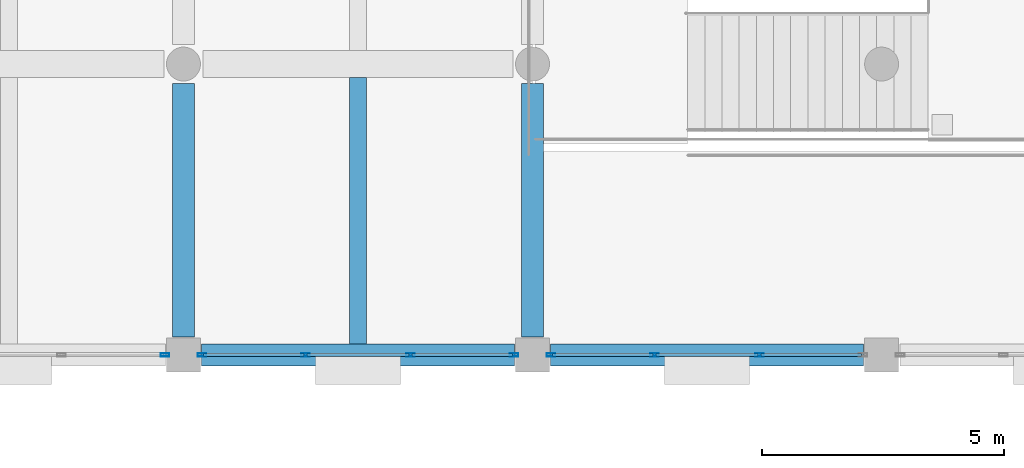
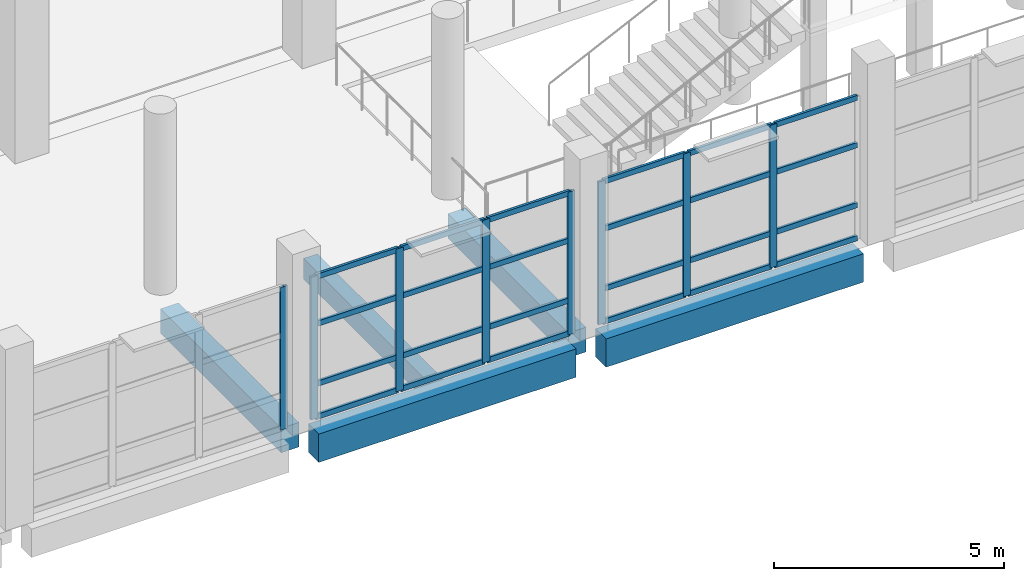
# One storey, part 33 of 91: 32 members, 5 beams, 3 elements without a shape of their own.
"""IFC4 building model written with IfcOpenShell, lengths in metres."""

import ifcopenshell
import ifcopenshell.guid

model = None  # the IFC model being written
_history = None  # IfcOwnerHistory: only IFC2X3 demands one
_inside = {}  # id of a spatial element -> (the spatial element, [elements in it])
_under = {}  # id of a project, library or spatial element -> (it, [spatial elements below it])
_declared = {}  # id of a project -> (the project, [libraries it declares])
_typed = {}  # id of a type object -> (the type object, [elements of that type])
_made_of = {}  # id of a material, layer set ... -> (it, [elements and type objects made of it])


def new_model(schema):
    """Start an empty IFC model of exactly this schema.

    Asked for "IFC4X3", IfcOpenShell would pick the latest addendum, in which some entities
    have other attributes; the version numbers below select the first issue.
    IFC2X3 requires an IfcOwnerHistory on every rooted entity: one is made here for all.
    """
    global model, _history
    if schema == "IFC4X3":
        model = ifcopenshell.file(schema_version=(4, 3, 0, 0))
    else:
        model = ifcopenshell.file(schema=schema)
    _inside.clear()
    _under.clear()
    _declared.clear()
    _typed.clear()
    _made_of.clear()
    _history = None
    if model.schema == "IFC2X3":
        org = make("IfcOrganization", Name="unknown")
        user = make(
            "IfcPersonAndOrganization",
            ThePerson=make("IfcPerson", FamilyName="unknown"),
            TheOrganization=org,
        )
        app = make(
            "IfcApplication",
            ApplicationDeveloper=org,
            Version="unknown",
            ApplicationFullName="unknown",
            ApplicationIdentifier="unknown",
        )
        _history = make(
            "IfcOwnerHistory",
            OwningUser=user,
            OwningApplication=app,
            ChangeAction="ADDED",
            CreationDate=0,
        )
    return model


def make(cls, **values):
    """One entity of the class cls with the attributes given. An attribute that is None is left unset."""
    return model.create_entity(
        cls, **{name: value for name, value in values.items() if value is not None}
    )


def rooted(cls, **values):
    """An entity with a GlobalId (a new one), such as an element, a storey or a relation."""
    return make(cls, GlobalId=ifcopenshell.guid.new(), OwnerHistory=_history, **values)


def si_unit(unit_type, name, prefix=None):
    """IfcSIUnit, for example si_unit("LENGTHUNIT", "METRE", prefix="MILLI")."""
    return make("IfcSIUnit", UnitType=unit_type, Prefix=prefix, Name=name)


def assignment(units):
    """IfcUnitAssignment: the units of a project."""
    return None if units is None else make("IfcUnitAssignment", Units=units)


def point(xyz):
    """IfcCartesianPoint."""
    return None if xyz is None else make("IfcCartesianPoint", Coordinates=xyz)


def direction(xyz):
    """IfcDirection."""
    return None if xyz is None else make("IfcDirection", DirectionRatios=xyz)


def frame(location, z_axis=None, x_axis=None):
    """IfcAxis2Placement3D, a coordinate frame: its origin and axes. An axis left out is left unset."""
    return make(
        "IfcAxis2Placement3D",
        Location=point(location),
        Axis=direction(z_axis),
        RefDirection=direction(x_axis),
    )


def frame_2d(location, x_axis=None):
    """IfcAxis2Placement2D, a coordinate frame in the plane: its origin and x axis."""
    return make(
        "IfcAxis2Placement2D", Location=point(location), RefDirection=direction(x_axis)
    )


def origin():
    """The frame at (0, 0, 0) with its axes left unset."""
    return frame((0.0, 0.0, 0.0))


def origin_2d():
    """The frame at (0, 0) in the plane with its x axis left unset."""
    return frame_2d((0.0, 0.0))


def place(relative_to, where):
    """IfcLocalPlacement: puts the frame where relative to a parent placement (None: the world)."""
    return make(
        "IfcLocalPlacement", PlacementRelTo=relative_to, RelativePlacement=where
    )


def context(
    kind, dimensions, precision=None, world=None, true_north=None, identifier=None
):
    """IfcGeometricRepresentationContext, for example the 3D "Model" context."""
    return make(
        "IfcGeometricRepresentationContext",
        ContextIdentifier=identifier,
        ContextType=kind,
        CoordinateSpaceDimension=dimensions,
        Precision=precision,
        WorldCoordinateSystem=world,
        TrueNorth=true_north,
    )


def subcontext(parent, identifier, kind, view, scale=None):
    """IfcGeometricRepresentationSubContext, for example "Body" below "Model"."""
    return make(
        "IfcGeometricRepresentationSubContext",
        ContextIdentifier=identifier,
        ContextType=kind,
        ParentContext=parent,
        TargetScale=scale,
        TargetView=view,
    )


def project(units=None, contexts=None):
    """IfcProject with its units and contexts."""
    return rooted(
        "IfcProject",
        Name="project",
        RepresentationContexts=contexts,
        UnitsInContext=assignment(units),
    )


def spatial(cls, under=None, at=None, **own):
    """A site, building, storey or space (cls), placed at a placement, below another one or the project."""
    s = rooted(cls, ObjectPlacement=at, **own)
    if under is not None:
        _under.setdefault(under.id(), (under, []))[1].append(s)
    return s


def profile(cls, at=None, kind="AREA", **sizes):
    """A parametric profile (cls). Its sizes go by their IFC names, for example OverallWidth=200.0."""
    return make(cls, ProfileType=kind, Position=at, **sizes)


def rectangle(**sizes):
    """IfcRectangleProfileDef."""
    return profile("IfcRectangleProfileDef", **sizes)


def hollow_rectangle(**sizes):
    """IfcRectangleHollowProfileDef."""
    return profile("IfcRectangleHollowProfileDef", **sizes)


def extrude(swept, where, along, depth):
    """IfcExtrudedAreaSolid: the profile swept, set in the frame where, extruded along a direction by depth."""
    return make(
        "IfcExtrudedAreaSolid",
        SweptArea=swept,
        Position=where,
        ExtrudedDirection=direction(along),
        Depth=depth,
    )


def shape(context_of_items, identifier, shape_type, items):
    """IfcShapeRepresentation: the items that make up one representation, for example the "Body"."""
    return make(
        "IfcShapeRepresentation",
        ContextOfItems=context_of_items,
        RepresentationIdentifier=identifier,
        RepresentationType=shape_type,
        Items=items,
    )


def material(Name=None, Category=None):
    """IfcMaterial."""
    return make("IfcMaterial", Name=Name, Category=Category)


def material_profile(
    of_material, cross_section, Name=None, Category=None, Priority=None
):
    """IfcMaterialProfile: a cross section and its material."""
    return make(
        "IfcMaterialProfile",
        Name=Name,
        Material=of_material,
        Profile=cross_section,
        Priority=Priority,
        Category=Category,
    )


def profile_set(profiles, Name=None, composite=None):
    """IfcMaterialProfileSet."""
    return make(
        "IfcMaterialProfileSet",
        Name=Name,
        MaterialProfiles=profiles,
        CompositeProfile=composite,
    )


def made_of(thing, what):
    """Note that an element or type object is made of a material, layer set ...; save() writes the relation."""
    if what is not None:
        _made_of.setdefault(what.id(), (what, []))[1].append(thing)
    return thing


def type_object(cls, material=None, **own):
    """A type object (cls), such as IfcWallType, which elements share."""
    return made_of(rooted(cls, **own), material)


def element(
    cls,
    number,
    at=None,
    inside=None,
    cuts=None,
    type_object=None,
    material=None,
    context=None,
    identifier="Body",
    shape_type=None,
    held_by="IfcProductDefinitionShape",
    body=None,
    shapes=None,
    **own,
):
    """One element of the class cls, such as IfcWall. Its Tag is "e" and its number.

    at: its placement. inside: the storey or other place that contains it. cuts: it is an
    opening in that element (IfcRelVoidsElement). A single representation is given by context,
    identifier, shape_type and body (its items); several are given by shapes. held_by: the class
    of the entity that holds the representations. save() writes the other relations.
    """
    e = rooted(cls, Tag="e%d" % number, ObjectPlacement=at, **own)
    if body is not None:
        shapes = [shape(context, identifier, shape_type, body)]
    if shapes is not None:
        e.Representation = make(held_by, Representations=shapes)
    if inside is not None:
        _inside.setdefault(inside.id(), (inside, []))[1].append(e)
    if cuts is not None:
        rooted(
            "IfcRelVoidsElement", RelatingBuildingElement=cuts, RelatedOpeningElement=e
        )
    if type_object is not None:
        _typed.setdefault(type_object.id(), (type_object, []))[1].append(e)
    return made_of(e, material)


def aggregate(whole, parts):
    """IfcRelAggregates: a whole, such as a stair, and the parts it consists of."""
    return rooted("IfcRelAggregates", RelatingObject=whole, RelatedObjects=parts)


def save(model, path):
    """Write the relations noted so far, then the file.

    IfcRelAggregates (storeys below a building ...), IfcRelContainedInSpatialStructure (elements
    in a storey), IfcRelDefinesByType, IfcRelAssociatesMaterial and IfcRelDeclares: one each for
    every whole, place, type object, material and project.
    """
    for whole, parts in _under.values():
        aggregate(whole, parts)
    for where, things in _inside.values():
        rooted(
            "IfcRelContainedInSpatialStructure",
            RelatedElements=things,
            RelatingStructure=where,
        )
    for kind, things in _typed.values():
        rooted("IfcRelDefinesByType", RelatedObjects=things, RelatingType=kind)
    for what, things in _made_of.values():
        rooted("IfcRelAssociatesMaterial", RelatedObjects=things, RelatingMaterial=what)
    for by, libraries in _declared.values():
        rooted("IfcRelDeclares", RelatingContext=by, RelatedDefinitions=libraries)
    model.write(path)


model = new_model("IFC4")

# Units and contexts
model_context = context("Model", 3, precision=1e-05, world=origin(), true_north=direction((0.0, 1.0)))
body_context = subcontext(model_context, "Body", "Model", "MODEL_VIEW")
ifc_project = project(units=[si_unit("LENGTHUNIT", "METRE"), si_unit("AREAUNIT", "SQUARE_METRE"), si_unit("VOLUMEUNIT", "CUBIC_METRE"), si_unit("PLANEANGLEUNIT", "RADIAN"), si_unit("MASSUNIT", "GRAM", prefix="KILO")], contexts=[model_context])

# Site, building, storey
site_placement = place(None, origin())
site = spatial("IfcSite", under=ifc_project, at=site_placement, CompositionType="ELEMENT")
building_placement = place(site_placement, origin())
building = spatial("IfcBuilding", under=site, at=building_placement, Name="Pellamere Symphony Hall", CompositionType="ELEMENT")
storey_placement = place(building_placement, frame((0.0, 0.0, 5.39990234375)))
storey = spatial("IfcBuildingStorey", under=building, at=storey_placement, Name="L01", CompositionType="ELEMENT", Elevation=5.39990234375)

# Curtain wall, member
ifc_material_1 = material(Name="Thermally Broken Anodised Aluminium 6063-T6 Curtain Wall", Category="aluminium")
curtain_wall_type = type_object("IfcCurtainWallType", Name="Curtain Wall CW-02 (Winter-Garden South Concourse Curtain Wall)", PredefinedType="NOTDEFINED", material=ifc_material_1)
curtain_wall_1_placement = place(storey_placement, origin())
curtain_wall_1 = element("IfcCurtainWall", 1, at=curtain_wall_1_placement, inside=storey, type_object=curtain_wall_type, Name="Winter-Garden South Curtain Wall (L01 Bay 3)", PredefinedType="NOTDEFINED")
ifc_material_2 = material(Name="Anodised Architectural Aluminium 6063-T6", Category="aluminium")
ifc_material_profile_1 = material_profile(ifc_material_2, hollow_rectangle(XDim=0.06494140625, YDim=0.179931640625, WallThickness=0.00390625, at=origin_2d()), Name="ALU-M65X180X4")
ifc_profile_set_1 = profile_set([ifc_material_profile_1], Name="Anodised Architectural Aluminium 6063-T6")
member_type_1 = type_object("IfcMemberType", Name="Curtain Wall Mullion ML-02 ALU-M65X180X4", PredefinedType="MULLION", material=ifc_profile_set_1)
member_1_placement = place(storey_placement, frame((65.617431640625, 18.0, 0.0), z_axis=(0.0, 0.0, 1.0), x_axis=(0.0, 1.0, 0.0)))
member_1 = element("IfcMember", 2, at=member_1_placement, type_object=member_type_1, Name="CW2-068 crystal mullion 4", PredefinedType="MULLION", context=body_context, shape_type="SweptSolid", body=[
    extrude(hollow_rectangle(XDim=0.06494140625, YDim=0.179931640625, WallThickness=0.00390625, at=origin_2d()), origin(), (0.0, 0.0, 1.0), 3.780029296875),
])
aggregate(curtain_wall_1, [member_1])

# Curtain wall, members
curtain_wall_2_placement = place(storey_placement, origin())
curtain_wall_2 = element("IfcCurtainWall", 3, at=curtain_wall_2_placement, inside=storey, type_object=curtain_wall_type, Name="Winter-Garden South Curtain Wall (L01 Bay 4)", PredefinedType="NOTDEFINED")
member_2_placement = place(storey_placement, frame((66.382568359375, 18.0, 0.0), z_axis=(0.0, 0.0, 1.0), x_axis=(0.0, 1.0, 0.0)))
member_2 = element("IfcMember", 4, at=member_2_placement, type_object=member_type_1, Name="CW2-069 crystal mullion 1", PredefinedType="MULLION", context=body_context, shape_type="SweptSolid", body=[
    extrude(hollow_rectangle(XDim=0.06494140625, YDim=0.179931640625, WallThickness=0.00390625, at=origin_2d()), origin(), (0.0, 0.0, 1.0), 3.780029296875),
])
member_3_placement = place(storey_placement, frame((68.5166015625, 18.0, 0.0), z_axis=(0.0, 0.0, 1.0), x_axis=(0.0, 1.0, 0.0)))
member_3 = element("IfcMember", 5, at=member_3_placement, type_object=member_type_1, Name="CW2-069 crystal mullion 2", PredefinedType="MULLION", context=body_context, shape_type="SweptSolid", body=[
    extrude(hollow_rectangle(XDim=0.06494140625, YDim=0.179931640625, WallThickness=0.00390625, at=origin_2d()), origin(), (0.0, 0.0, 1.0), 3.780029296875),
])
member_4_placement = place(storey_placement, frame((70.683349609375, 18.0, 0.0), z_axis=(0.0, 0.0, 1.0), x_axis=(0.0, 1.0, 0.0)))
member_4 = element("IfcMember", 6, at=member_4_placement, type_object=member_type_1, Name="CW2-069 crystal mullion 3", PredefinedType="MULLION", context=body_context, shape_type="SweptSolid", body=[
    extrude(hollow_rectangle(XDim=0.06494140625, YDim=0.179931640625, WallThickness=0.00390625, at=origin_2d()), origin(), (0.0, 0.0, 1.0), 3.780029296875),
])
member_5_placement = place(storey_placement, frame((72.8173828125, 18.0, 0.0), z_axis=(0.0, 0.0, 1.0), x_axis=(0.0, 1.0, 0.0)))
member_5 = element("IfcMember", 7, at=member_5_placement, type_object=member_type_1, Name="CW2-069 crystal mullion 4", PredefinedType="MULLION", context=body_context, shape_type="SweptSolid", body=[
    extrude(hollow_rectangle(XDim=0.06494140625, YDim=0.179931640625, WallThickness=0.00390625, at=origin_2d()), origin(), (0.0, 0.0, 1.0), 3.780029296875),
])

curtain_wall_3_placement = place(storey_placement, origin())
curtain_wall_3 = element("IfcCurtainWall", 8, at=curtain_wall_3_placement, inside=storey, type_object=curtain_wall_type, Name="Winter-Garden South Curtain Wall (L01 Bay 5)", PredefinedType="NOTDEFINED")
member_6_placement = place(storey_placement, frame((73.58251953125, 18.0, 0.0), z_axis=(0.0, 0.0, 1.0), x_axis=(0.0, 1.0, 0.0)))
member_6 = element("IfcMember", 9, at=member_6_placement, type_object=member_type_1, Name="CW2-070 crystal mullion 1", PredefinedType="MULLION", context=body_context, shape_type="SweptSolid", body=[
    extrude(hollow_rectangle(XDim=0.06494140625, YDim=0.179931640625, WallThickness=0.00390625, at=origin_2d()), origin(), (0.0, 0.0, 1.0), 3.780029296875),
])
member_7_placement = place(storey_placement, frame((75.716552734375, 18.0, 0.0), z_axis=(0.0, 0.0, 1.0), x_axis=(0.0, 1.0, 0.0)))
member_7 = element("IfcMember", 10, at=member_7_placement, type_object=member_type_1, Name="CW2-070 crystal mullion 2", PredefinedType="MULLION", context=body_context, shape_type="SweptSolid", body=[
    extrude(hollow_rectangle(XDim=0.06494140625, YDim=0.179931640625, WallThickness=0.00390625, at=origin_2d()), origin(), (0.0, 0.0, 1.0), 3.780029296875),
])
member_8_placement = place(storey_placement, frame((77.88330078125, 18.0, 0.0), z_axis=(0.0, 0.0, 1.0), x_axis=(0.0, 1.0, 0.0)))
member_8 = element("IfcMember", 11, at=member_8_placement, type_object=member_type_1, Name="CW2-070 crystal mullion 3", PredefinedType="MULLION", context=body_context, shape_type="SweptSolid", body=[
    extrude(hollow_rectangle(XDim=0.06494140625, YDim=0.179931640625, WallThickness=0.00390625, at=origin_2d()), origin(), (0.0, 0.0, 1.0), 3.780029296875),
])

# Member
ifc_material_profile_2 = material_profile(ifc_material_2, hollow_rectangle(XDim=0.06494140625, YDim=0.139892578125, WallThickness=0.00390625, at=origin_2d()), Name="ALU-T65X140X4")
ifc_profile_set_2 = profile_set([ifc_material_profile_2], Name="Anodised Architectural Aluminium 6063-T6")
member_type_2 = type_object("IfcMemberType", Name="Curtain Wall Transom TR-02 ALU-T65X140X4", PredefinedType="USERDEFINED", material=ifc_profile_set_2)
member_9_placement = place(storey_placement, frame((66.4150390625, 18.0, 0.03271484375), z_axis=(1.0, 0.0, 0.0), x_axis=(0.0, 1.0, 0.0)))
member_9 = element("IfcMember", 12, at=member_9_placement, type_object=member_type_2, Name="CW2-069 crystal transom 1.1", ObjectType="TRANSOM", PredefinedType="USERDEFINED", context=body_context, shape_type="SweptSolid", body=[
    extrude(hollow_rectangle(XDim=0.06494140625, YDim=0.139892578125, WallThickness=0.00390625, at=origin_2d()), origin(), (0.0, 0.0, 1.0), 2.069091796875),
])

member_10_placement = place(storey_placement, frame((66.4150390625, 18.0, 0.9072265625), z_axis=(1.0, 0.0, 0.0), x_axis=(0.0, 1.0, 0.0)))
member_10 = element("IfcMember", 13, at=member_10_placement, type_object=member_type_2, Name="CW2-069 crystal transom 1.2", ObjectType="TRANSOM", PredefinedType="USERDEFINED", context=body_context, shape_type="SweptSolid", body=[
    extrude(hollow_rectangle(XDim=0.06494140625, YDim=0.139892578125, WallThickness=0.00390625, at=origin_2d()), origin(), (0.0, 0.0, 1.0), 2.069091796875),
])

member_11_placement = place(storey_placement, frame((66.4150390625, 18.0, 2.494873046875), z_axis=(1.0, 0.0, 0.0), x_axis=(0.0, 1.0, 0.0)))
member_11 = element("IfcMember", 14, at=member_11_placement, type_object=member_type_2, Name="CW2-069 crystal transom 1.3", ObjectType="TRANSOM", PredefinedType="USERDEFINED", context=body_context, shape_type="SweptSolid", body=[
    extrude(hollow_rectangle(XDim=0.06494140625, YDim=0.139892578125, WallThickness=0.00390625, at=origin_2d()), origin(), (0.0, 0.0, 1.0), 2.069091796875),
])

member_12_placement = place(storey_placement, frame((66.4150390625, 18.0, 3.74755859375), z_axis=(1.0, 0.0, 0.0), x_axis=(0.0, 1.0, 0.0)))
member_12 = element("IfcMember", 15, at=member_12_placement, type_object=member_type_2, Name="CW2-069 crystal transom 1.4", ObjectType="TRANSOM", PredefinedType="USERDEFINED", context=body_context, shape_type="SweptSolid", body=[
    extrude(hollow_rectangle(XDim=0.06494140625, YDim=0.139892578125, WallThickness=0.00390625, at=origin_2d()), origin(), (0.0, 0.0, 1.0), 2.069091796875),
])

member_13_placement = place(storey_placement, frame((68.549072265625, 18.0, 0.03271484375), z_axis=(1.0, 0.0, 0.0), x_axis=(0.0, 1.0, 0.0)))
member_13 = element("IfcMember", 16, at=member_13_placement, type_object=member_type_2, Name="CW2-069 crystal transom 2.1", ObjectType="TRANSOM", PredefinedType="USERDEFINED", context=body_context, shape_type="SweptSolid", body=[
    extrude(hollow_rectangle(XDim=0.06494140625, YDim=0.139892578125, WallThickness=0.00390625, at=origin_2d()), origin(), (0.0, 0.0, 1.0), 2.101806640625),
])

member_14_placement = place(storey_placement, frame((68.549072265625, 18.0, 0.9072265625), z_axis=(1.0, 0.0, 0.0), x_axis=(0.0, 1.0, 0.0)))
member_14 = element("IfcMember", 17, at=member_14_placement, type_object=member_type_2, Name="CW2-069 crystal transom 2.2", ObjectType="TRANSOM", PredefinedType="USERDEFINED", context=body_context, shape_type="SweptSolid", body=[
    extrude(hollow_rectangle(XDim=0.06494140625, YDim=0.139892578125, WallThickness=0.00390625, at=origin_2d()), origin(), (0.0, 0.0, 1.0), 2.101806640625),
])

member_15_placement = place(storey_placement, frame((68.549072265625, 18.0, 2.494873046875), z_axis=(1.0, 0.0, 0.0), x_axis=(0.0, 1.0, 0.0)))
member_15 = element("IfcMember", 18, at=member_15_placement, type_object=member_type_2, Name="CW2-069 crystal transom 2.3", ObjectType="TRANSOM", PredefinedType="USERDEFINED", context=body_context, shape_type="SweptSolid", body=[
    extrude(hollow_rectangle(XDim=0.06494140625, YDim=0.139892578125, WallThickness=0.00390625, at=origin_2d()), origin(), (0.0, 0.0, 1.0), 2.101806640625),
])

member_16_placement = place(storey_placement, frame((68.549072265625, 18.0, 3.74755859375), z_axis=(1.0, 0.0, 0.0), x_axis=(0.0, 1.0, 0.0)))
member_16 = element("IfcMember", 19, at=member_16_placement, type_object=member_type_2, Name="CW2-069 crystal transom 2.4", ObjectType="TRANSOM", PredefinedType="USERDEFINED", context=body_context, shape_type="SweptSolid", body=[
    extrude(hollow_rectangle(XDim=0.06494140625, YDim=0.139892578125, WallThickness=0.00390625, at=origin_2d()), origin(), (0.0, 0.0, 1.0), 2.101806640625),
])

member_17_placement = place(storey_placement, frame((70.7158203125, 18.0, 0.03271484375), z_axis=(1.0, 0.0, 0.0), x_axis=(0.0, 1.0, 0.0)))
member_17 = element("IfcMember", 20, at=member_17_placement, type_object=member_type_2, Name="CW2-069 crystal transom 3.1", ObjectType="TRANSOM", PredefinedType="USERDEFINED", context=body_context, shape_type="SweptSolid", body=[
    extrude(hollow_rectangle(XDim=0.06494140625, YDim=0.139892578125, WallThickness=0.00390625, at=origin_2d()), origin(), (0.0, 0.0, 1.0), 2.069091796875),
])

member_18_placement = place(storey_placement, frame((70.7158203125, 18.0, 0.9072265625), z_axis=(1.0, 0.0, 0.0), x_axis=(0.0, 1.0, 0.0)))
member_18 = element("IfcMember", 21, at=member_18_placement, type_object=member_type_2, Name="CW2-069 crystal transom 3.2", ObjectType="TRANSOM", PredefinedType="USERDEFINED", context=body_context, shape_type="SweptSolid", body=[
    extrude(hollow_rectangle(XDim=0.06494140625, YDim=0.139892578125, WallThickness=0.00390625, at=origin_2d()), origin(), (0.0, 0.0, 1.0), 2.069091796875),
])

member_19_placement = place(storey_placement, frame((70.7158203125, 18.0, 2.494873046875), z_axis=(1.0, 0.0, 0.0), x_axis=(0.0, 1.0, 0.0)))
member_19 = element("IfcMember", 22, at=member_19_placement, type_object=member_type_2, Name="CW2-069 crystal transom 3.3", ObjectType="TRANSOM", PredefinedType="USERDEFINED", context=body_context, shape_type="SweptSolid", body=[
    extrude(hollow_rectangle(XDim=0.06494140625, YDim=0.139892578125, WallThickness=0.00390625, at=origin_2d()), origin(), (0.0, 0.0, 1.0), 2.069091796875),
])

member_20_placement = place(storey_placement, frame((70.7158203125, 18.0, 3.74755859375), z_axis=(1.0, 0.0, 0.0), x_axis=(0.0, 1.0, 0.0)))
member_20 = element("IfcMember", 23, at=member_20_placement, type_object=member_type_2, Name="CW2-069 crystal transom 3.4", ObjectType="TRANSOM", PredefinedType="USERDEFINED", context=body_context, shape_type="SweptSolid", body=[
    extrude(hollow_rectangle(XDim=0.06494140625, YDim=0.139892578125, WallThickness=0.00390625, at=origin_2d()), origin(), (0.0, 0.0, 1.0), 2.069091796875),
])

aggregate(curtain_wall_2, [member_2, member_3, member_4, member_5, member_9, member_10, member_11, member_12, member_13, member_14, member_15, member_16, member_17, member_18, member_19, member_20])

member_21_placement = place(storey_placement, frame((73.614990234375, 18.0, 0.03271484375), z_axis=(1.0, 0.0, 0.0), x_axis=(0.0, 1.0, 0.0)))
member_21 = element("IfcMember", 24, at=member_21_placement, type_object=member_type_2, Name="CW2-070 crystal transom 1.1", ObjectType="TRANSOM", PredefinedType="USERDEFINED", context=body_context, shape_type="SweptSolid", body=[
    extrude(hollow_rectangle(XDim=0.06494140625, YDim=0.139892578125, WallThickness=0.00390625, at=origin_2d()), origin(), (0.0, 0.0, 1.0), 2.069091796875),
])

member_22_placement = place(storey_placement, frame((73.614990234375, 18.0, 0.9072265625), z_axis=(1.0, 0.0, 0.0), x_axis=(0.0, 1.0, 0.0)))
member_22 = element("IfcMember", 25, at=member_22_placement, type_object=member_type_2, Name="CW2-070 crystal transom 1.2", ObjectType="TRANSOM", PredefinedType="USERDEFINED", context=body_context, shape_type="SweptSolid", body=[
    extrude(hollow_rectangle(XDim=0.06494140625, YDim=0.139892578125, WallThickness=0.00390625, at=origin_2d()), origin(), (0.0, 0.0, 1.0), 2.069091796875),
])

member_23_placement = place(storey_placement, frame((73.614990234375, 18.0, 2.494873046875), z_axis=(1.0, 0.0, 0.0), x_axis=(0.0, 1.0, 0.0)))
member_23 = element("IfcMember", 26, at=member_23_placement, type_object=member_type_2, Name="CW2-070 crystal transom 1.3", ObjectType="TRANSOM", PredefinedType="USERDEFINED", context=body_context, shape_type="SweptSolid", body=[
    extrude(hollow_rectangle(XDim=0.06494140625, YDim=0.139892578125, WallThickness=0.00390625, at=origin_2d()), origin(), (0.0, 0.0, 1.0), 2.069091796875),
])

member_24_placement = place(storey_placement, frame((73.614990234375, 18.0, 3.74755859375), z_axis=(1.0, 0.0, 0.0), x_axis=(0.0, 1.0, 0.0)))
member_24 = element("IfcMember", 27, at=member_24_placement, type_object=member_type_2, Name="CW2-070 crystal transom 1.4", ObjectType="TRANSOM", PredefinedType="USERDEFINED", context=body_context, shape_type="SweptSolid", body=[
    extrude(hollow_rectangle(XDim=0.06494140625, YDim=0.139892578125, WallThickness=0.00390625, at=origin_2d()), origin(), (0.0, 0.0, 1.0), 2.069091796875),
])

member_25_placement = place(storey_placement, frame((75.749267578125, 18.0, 0.03271484375), z_axis=(1.0, 0.0, 0.0), x_axis=(0.0, 1.0, 0.0)))
member_25 = element("IfcMember", 28, at=member_25_placement, type_object=member_type_2, Name="CW2-070 crystal transom 2.1", ObjectType="TRANSOM", PredefinedType="USERDEFINED", context=body_context, shape_type="SweptSolid", body=[
    extrude(hollow_rectangle(XDim=0.06494140625, YDim=0.139892578125, WallThickness=0.00390625, at=origin_2d()), origin(), (0.0, 0.0, 1.0), 2.1015625),
])

member_26_placement = place(storey_placement, frame((75.749267578125, 18.0, 0.9072265625), z_axis=(1.0, 0.0, 0.0), x_axis=(0.0, 1.0, 0.0)))
member_26 = element("IfcMember", 29, at=member_26_placement, type_object=member_type_2, Name="CW2-070 crystal transom 2.2", ObjectType="TRANSOM", PredefinedType="USERDEFINED", context=body_context, shape_type="SweptSolid", body=[
    extrude(hollow_rectangle(XDim=0.06494140625, YDim=0.139892578125, WallThickness=0.00390625, at=origin_2d()), origin(), (0.0, 0.0, 1.0), 2.1015625),
])

member_27_placement = place(storey_placement, frame((75.749267578125, 18.0, 2.494873046875), z_axis=(1.0, 0.0, 0.0), x_axis=(0.0, 1.0, 0.0)))
member_27 = element("IfcMember", 30, at=member_27_placement, type_object=member_type_2, Name="CW2-070 crystal transom 2.3", ObjectType="TRANSOM", PredefinedType="USERDEFINED", context=body_context, shape_type="SweptSolid", body=[
    extrude(hollow_rectangle(XDim=0.06494140625, YDim=0.139892578125, WallThickness=0.00390625, at=origin_2d()), origin(), (0.0, 0.0, 1.0), 2.1015625),
])

member_28_placement = place(storey_placement, frame((75.749267578125, 18.0, 3.74755859375), z_axis=(1.0, 0.0, 0.0), x_axis=(0.0, 1.0, 0.0)))
member_28 = element("IfcMember", 31, at=member_28_placement, type_object=member_type_2, Name="CW2-070 crystal transom 2.4", ObjectType="TRANSOM", PredefinedType="USERDEFINED", context=body_context, shape_type="SweptSolid", body=[
    extrude(hollow_rectangle(XDim=0.06494140625, YDim=0.139892578125, WallThickness=0.00390625, at=origin_2d()), origin(), (0.0, 0.0, 1.0), 2.1015625),
])

member_29_placement = place(storey_placement, frame((77.915771484375, 18.0, 0.03271484375), z_axis=(1.0, 0.0, 0.0), x_axis=(0.0, 1.0, 0.0)))
member_29 = element("IfcMember", 32, at=member_29_placement, type_object=member_type_2, Name="CW2-070 crystal transom 3.1", ObjectType="TRANSOM", PredefinedType="USERDEFINED", context=body_context, shape_type="SweptSolid", body=[
    extrude(hollow_rectangle(XDim=0.06494140625, YDim=0.139892578125, WallThickness=0.00390625, at=origin_2d()), origin(), (0.0, 0.0, 1.0), 2.0693359375),
])

member_30_placement = place(storey_placement, frame((77.915771484375, 18.0, 0.9072265625), z_axis=(1.0, 0.0, 0.0), x_axis=(0.0, 1.0, 0.0)))
member_30 = element("IfcMember", 33, at=member_30_placement, type_object=member_type_2, Name="CW2-070 crystal transom 3.2", ObjectType="TRANSOM", PredefinedType="USERDEFINED", context=body_context, shape_type="SweptSolid", body=[
    extrude(hollow_rectangle(XDim=0.06494140625, YDim=0.139892578125, WallThickness=0.00390625, at=origin_2d()), origin(), (0.0, 0.0, 1.0), 2.0693359375),
])

member_31_placement = place(storey_placement, frame((77.915771484375, 18.0, 2.494873046875), z_axis=(1.0, 0.0, 0.0), x_axis=(0.0, 1.0, 0.0)))
member_31 = element("IfcMember", 34, at=member_31_placement, type_object=member_type_2, Name="CW2-070 crystal transom 3.3", ObjectType="TRANSOM", PredefinedType="USERDEFINED", context=body_context, shape_type="SweptSolid", body=[
    extrude(hollow_rectangle(XDim=0.06494140625, YDim=0.139892578125, WallThickness=0.00390625, at=origin_2d()), origin(), (0.0, 0.0, 1.0), 2.0693359375),
])

member_32_placement = place(storey_placement, frame((77.915771484375, 18.0, 3.74755859375), z_axis=(1.0, 0.0, 0.0), x_axis=(0.0, 1.0, 0.0)))
member_32 = element("IfcMember", 35, at=member_32_placement, type_object=member_type_2, Name="CW2-070 crystal transom 3.4", ObjectType="TRANSOM", PredefinedType="USERDEFINED", context=body_context, shape_type="SweptSolid", body=[
    extrude(hollow_rectangle(XDim=0.06494140625, YDim=0.139892578125, WallThickness=0.00390625, at=origin_2d()), origin(), (0.0, 0.0, 1.0), 2.0693359375),
])

aggregate(curtain_wall_3, [member_6, member_7, member_8, member_21, member_22, member_23, member_24, member_25, member_26, member_27, member_28, member_29, member_30, member_31, member_32])

# Beams
ifc_material_3 = material(Name="Concrete 40 MPa", Category="concrete")
ifc_material_profile_3 = material_profile(ifc_material_3, rectangle(XDim=0.449951171875, YDim=0.64990234375, at=origin_2d()), Name="RC 450x650")
ifc_profile_set_3 = profile_set([ifc_material_profile_3], Name="Concrete 40 MPa")
beam_type_1 = type_object("IfcBeamType", Name="RC CB-08 450x650", PredefinedType="BEAM", material=ifc_profile_set_3)
for number, where, z_axis, x_axis, name in (
    (36, (66.0, 18.375, -0.60498046875), (0.0, 1.0, 0.0), (-1.0, 0.0, 0.0), "Girder CB-08-Y0769 (L01)"),
    (37, (73.199951171875, 18.375, -0.60498046875), (0.0, 1.0, 0.0), (-1.0, 0.0, 0.0), "Girder CB-08-Y0775 (L01)"),
):
    element("IfcBeam", number, at=place(storey_placement, frame(where, z_axis=z_axis, x_axis=x_axis)), inside=storey, type_object=beam_type_1, Name=name, PredefinedType="BEAM", context=body_context, shape_type="SweptSolid", body=[
        extrude(rectangle(XDim=0.449951171875, YDim=0.64990234375, at=origin_2d()), origin(), (0.0, 0.0, 1.0), 5.22509765625),
    ])
ifc_material_4 = material(Name="Concrete 35 MPa", Category="concrete")
ifc_material_profile_4 = material_profile(ifc_material_4, rectangle(XDim=0.35009765625, YDim=0.550048828125, at=origin_2d()), Name="RC 350x550")
ifc_profile_set_4 = profile_set([ifc_material_profile_4], Name="Concrete 35 MPa")
beam_type_2 = type_object("IfcBeamType", Name="RC CB-10 350x550", PredefinedType="BEAM", material=ifc_profile_set_4)
beam_placement = place(storey_placement, frame((69.60009765625, 18.22509765625, -0.56982421875), z_axis=(0.0, 1.0, 0.0), x_axis=(-1.0, 0.0, 0.0)))
element("IfcBeam", 38, at=beam_placement, inside=storey, type_object=beam_type_2, Name="Secondary Floor Beam CB-10-M0802 (L01)", PredefinedType="BEAM", context=body_context, shape_type="SweptSolid", body=[
    extrude(rectangle(XDim=0.35009765625, YDim=0.550048828125, at=origin_2d()), origin(), (0.0, 0.0, 1.0), 5.494873046875),
])
ifc_material_profile_5 = material_profile(ifc_material_3, rectangle(XDim=0.449951171875, YDim=0.75, at=origin_2d()), Name="RC 450x750")
ifc_profile_set_5 = profile_set([ifc_material_profile_5], Name="Concrete 40 MPa")
beam_type_3 = type_object("IfcBeamType", Name="RC CB-12 450x750", PredefinedType="SPANDREL", material=ifc_profile_set_5)
for number, where, z_axis, x_axis, name in (
    (39, (66.375, 18.0, -0.65478515625), (1.0, 0.0, 0.0), (0.0, 1.0, 0.0), "Girder CB-12-X0550 (L01)"),
    (40, (73.574951171875, 18.0, -0.65478515625), (1.0, 0.0, 0.0), (0.0, 1.0, 0.0), "Girder CB-12-X0551 (L01)"),
):
    element("IfcBeam", number, at=place(storey_placement, frame(where, z_axis=z_axis, x_axis=x_axis)), inside=storey, type_object=beam_type_3, Name=name, PredefinedType="SPANDREL", context=body_context, shape_type="SweptSolid", body=[
        extrude(rectangle(XDim=0.449951171875, YDim=0.75, at=origin_2d()), origin(), (0.0, 0.0, 1.0), 6.449951171875),
    ])

save(model, "model.ifc")
